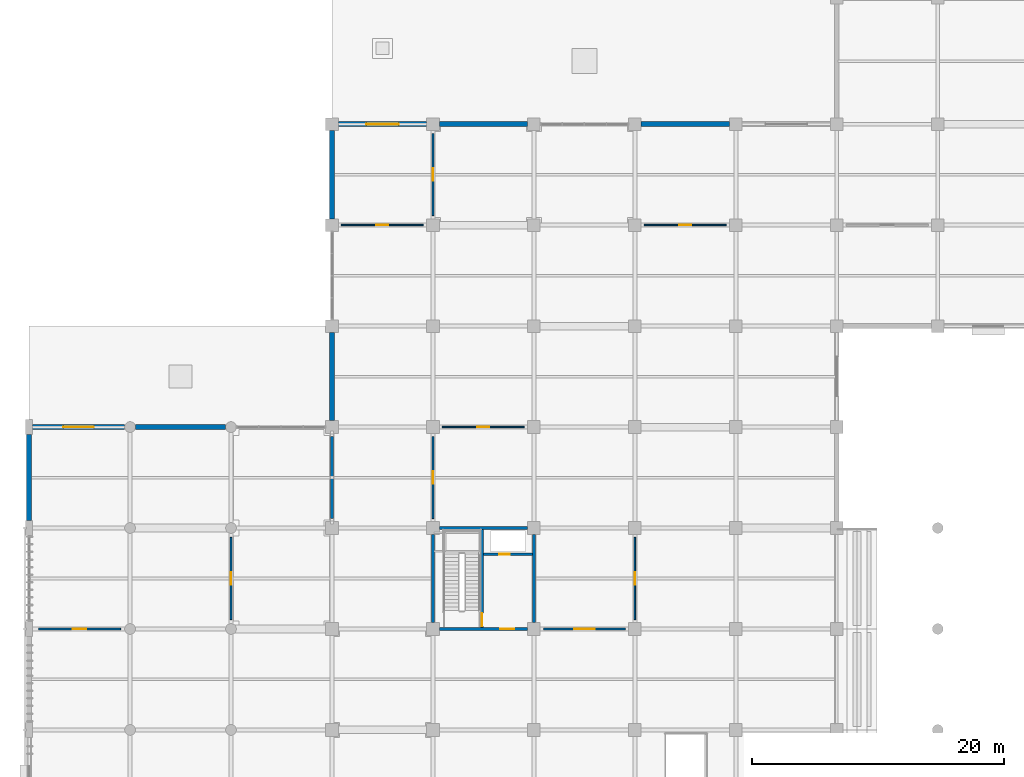
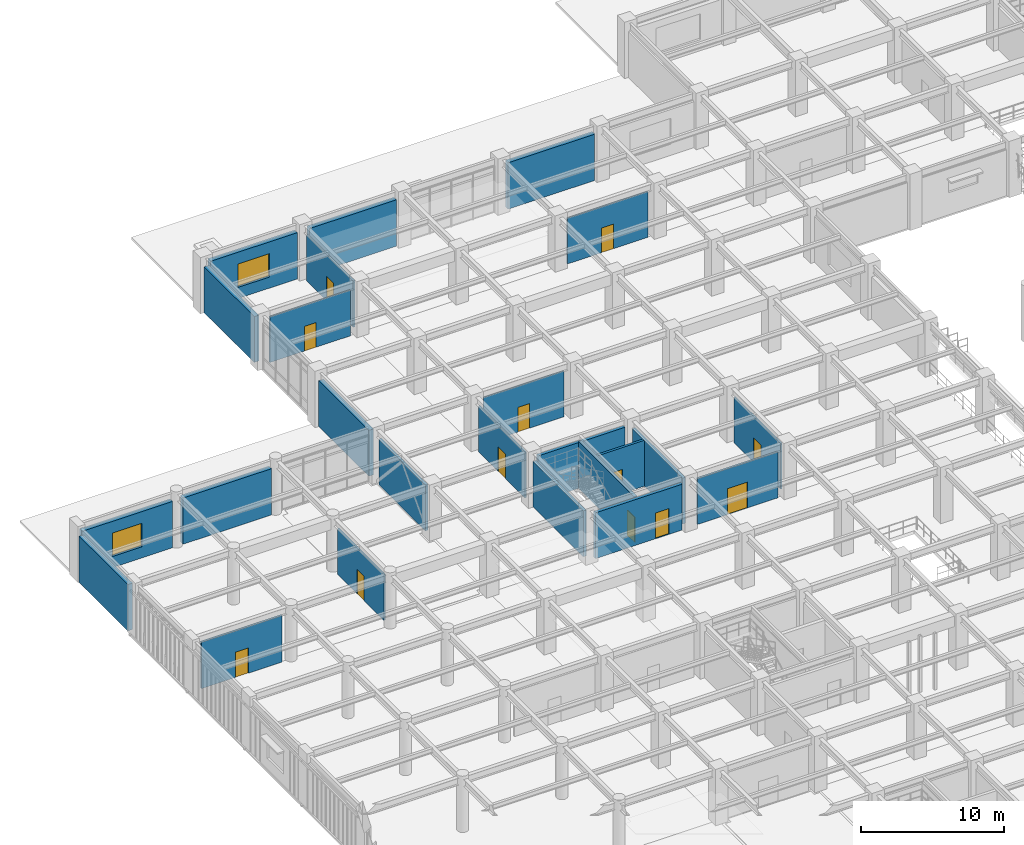
# One storey, part 81 of 117: 24 walls, 12 doors, 2 windows, 14 openings.
"""IFC4 building model written with IfcOpenShell, lengths in metres."""

from ifc_helpers import new_model, si_unit, direction, frame, frame_2d, origin, place, context, subcontext, project, spatial, rectangle, extrude, material, layer, layer_set, type_object, element, fill, save


model = new_model("IFC4")

# Units and contexts
model_context = context("Model", 3, precision=1e-05, world=origin(), true_north=direction((0.0, 1.0)))
body_context = subcontext(model_context, "Body", "Model", "MODEL_VIEW")
ifc_project = project(units=[si_unit("LENGTHUNIT", "METRE"), si_unit("AREAUNIT", "SQUARE_METRE"), si_unit("VOLUMEUNIT", "CUBIC_METRE"), si_unit("PLANEANGLEUNIT", "RADIAN"), si_unit("MASSUNIT", "GRAM", prefix="KILO")], contexts=[model_context])

# Site, building, storey
site_placement = place(None, origin())
site = spatial("IfcSite", under=ifc_project, at=site_placement, CompositionType="ELEMENT")
building_placement = place(site_placement, origin())
building = spatial("IfcBuilding", under=site, at=building_placement, Name="Haebicheon Civic Stadium", CompositionType="ELEMENT")
storey_placement = place(building_placement, frame((0.0, 0.0, 4.800048828125)))
storey = spatial("IfcBuildingStorey", under=building, at=storey_placement, Name="L02", CompositionType="ELEMENT", Elevation=4.800048828125)

# Wall, opening, door
ifc_material_1 = material(Name="Concrete C40/50", Category="concrete")
ifc_layer_1 = layer(ifc_material_1, 0.239990234375, Name="Concrete C40/50")
ifc_layer_set_1 = layer_set([ifc_layer_1], Name="Concrete C40/50")
wall_type_1 = type_object("IfcWallType", Name="CW-SHR-240", PredefinedType="SHEAR", material=ifc_layer_set_1)
wall_1_placement = place(storey_placement, frame((32.5, 128.0, 0.0), z_axis=(0.0, 0.0, 1.0), x_axis=(1.0, 0.0, 0.0)))
wall_1 = element("IfcWall", 1, at=wall_1_placement, inside=storey, type_object=wall_type_1, material=ifc_layer_set_1, Name="KC-05 L02 south core shear wall", PredefinedType="SHEAR", context=body_context, shape_type="SweptSolid", body=[
    extrude(rectangle(XDim=7.0, YDim=0.239990234375, at=frame_2d((3.5, 0.0))), origin(), (0.0, 0.0, 1.0), 3.909912109375),
])
opening_1_placement = place(wall_1_placement, frame((4.85009765625, 0.0, 0.0)))
opening_1 = element("IfcOpeningElement", 2, at=opening_1_placement, cuts=wall_1, Name="Opening D-L02-KC-05-LOB", PredefinedType="OPENING", context=body_context, shape_type="SweptSolid", body=[
    extrude(rectangle(XDim=1.10009765625, YDim=2.199951171875, at=frame_2d((0.550048828125, 1.10009765625))), frame((0.0, 0.1298828125, 0.0), z_axis=(0.0, -1.0, 0.0), x_axis=(1.0, 0.0, 0.0)), (0.0, 0.0, 1.0), 0.260009765625),
])
ifc_material_2 = material(Name="Galvanised painted steel SM355", Category="steel")
door_type_1 = type_object("IfcDoorType", Name="ID-FD-1100", OperationType="NOTDEFINED", PredefinedType="DOOR", material=ifc_material_2)
door_1_placement = place(opening_1_placement, origin())
door_1 = element("IfcDoor", 3, at=door_1_placement, inside=storey, type_object=door_type_1, material=ifc_material_2, Name="L02 KC-05 lobby fire door", OperationType="SINGLE_SWING_RIGHT", OverallHeight=2.199951171875, OverallWidth=1.10009765625, PredefinedType="DOOR", context=body_context, shape_type="SweptSolid", body=[
    extrude(rectangle(XDim=1.10009765625, YDim=2.199951171875, at=frame_2d((0.550048828125, 1.10009765625))), frame((0.0, 0.02490234375, 0.0), z_axis=(0.0, -1.0, 0.0), x_axis=(1.0, 0.0, 0.0)), (0.0, 0.0, 1.0), 0.050048828125),
])
fill(opening_1, door_1)

# Walls
for number, where, z_axis, x_axis, name in (
    (4, (32.5, 136.0, 0.0), (0.0, 0.0, 1.0), (1.0, 0.0, 0.0), "KC-05 L02 north core shear wall"),
    (5, (32.0, 128.5, 0.0), (0.0, 0.0, 1.0), (0.0, 1.0, 0.0), "KC-05 L02 west core shear wall"),
    (6, (40.0, 128.5, 0.0), (0.0, 0.0, 1.0), (0.0, 1.0, 0.0), "KC-05 L02 east core shear wall"),
):
    element("IfcWall", number, at=place(storey_placement, frame(where, z_axis=z_axis, x_axis=x_axis)), inside=storey, type_object=wall_type_1, material=ifc_layer_set_1, Name=name, PredefinedType="SHEAR", context=body_context, shape_type="SweptSolid", body=[
        extrude(rectangle(XDim=7.0, YDim=0.239990234375, at=frame_2d((3.5, 0.0))), origin(), (0.0, 0.0, 1.0), 3.909912109375),
    ])

# Wall, opening, door
wall_2_placement = place(storey_placement, frame((35.8798828125, 128.1201171875, 0.0), z_axis=(0.0, 0.0, 1.0), x_axis=(0.0, 1.0, 0.0)))
wall_2 = element("IfcWall", 7, at=wall_2_placement, inside=storey, type_object=wall_type_1, material=ifc_layer_set_1, Name="KC-05 L02 stair-lobby dividing shear wall", PredefinedType="SHEAR", context=body_context, shape_type="SweptSolid", body=[
    extrude(rectangle(XDim=7.759765625, YDim=0.239990234375, at=frame_2d((3.8798828125, 0.0))), origin(), (0.0, 0.0, 1.0), 4.010009765625),
])
opening_2_placement = place(wall_2_placement, frame((0.080078125, 0.0, 0.0)))
opening_2 = element("IfcOpeningElement", 8, at=opening_2_placement, cuts=wall_2, Name="Opening D-L02-KC-05-STR", PredefinedType="OPENING", context=body_context, shape_type="SweptSolid", body=[
    extrude(rectangle(XDim=1.050048828125, YDim=2.14990234375, at=frame_2d((0.52490234375, 1.074951171875))), frame((0.0, 0.1298828125, 0.0), z_axis=(0.0, -1.0, 0.0), x_axis=(1.0, 0.0, 0.0)), (0.0, 0.0, 1.0), 0.260009765625),
])
ifc_material_3 = material(Name="Galvanised painted steel SM355", Category="steel")
door_type_2 = type_object("IfcDoorType", Name="ID-FD-1050", OperationType="NOTDEFINED", PredefinedType="DOOR", material=ifc_material_3)
door_2_placement = place(opening_2_placement, origin())
door_2 = element("IfcDoor", 9, at=door_2_placement, inside=storey, type_object=door_type_2, material=ifc_material_3, Name="L02 ST-05 stairwell escape door", OperationType="SINGLE_SWING_LEFT", OverallHeight=2.14990234375, OverallWidth=1.050048828125, PredefinedType="DOOR", context=body_context, shape_type="SweptSolid", body=[
    extrude(rectangle(XDim=1.050048828125, YDim=2.14990234375, at=frame_2d((0.52490234375, 1.074951171875))), frame((0.0, 0.02490234375, 0.0), z_axis=(0.0, -1.0, 0.0), x_axis=(1.0, 0.0, 0.0)), (0.0, 0.0, 1.0), 0.050048828125),
])
fill(opening_2, door_2)

# Wall, opening, window
ifc_material_4 = material(Name="Concrete C40/50", Category="concrete")
ifc_layer_2 = layer(ifc_material_4, 0.3798828125, Name="Concrete C40/50")
ifc_layer_set_2 = layer_set([ifc_layer_2], Name="Concrete C40/50")
wall_type_2 = type_object("IfcWallType", Name="EW-BM-380", PredefinedType="SOLIDWALL", material=ifc_layer_set_2)
wall_3_placement = place(storey_placement, frame((0.27490234375, 144.0, 0.0), z_axis=(0.0, 0.0, 1.0), x_axis=(1.0, 0.0, 0.0)))
wall_3 = element("IfcWall", 10, at=wall_3_placement, inside=storey, type_object=wall_type_2, material=ifc_layer_set_2, Name="L02 board-marked concrete facade wall 00-18-N", PredefinedType="SOLIDWALL", context=body_context, shape_type="SweptSolid", body=[
    extrude(rectangle(XDim=7.300048828125, YDim=0.3798828125, at=frame_2d((3.64990234375, 0.0))), origin(), (0.0, 0.0, 1.0), 3.949951171875),
])
opening_3_placement = place(wall_3_placement, frame((2.449951171875, 0.0, 0.949951171875)))
opening_3 = element("IfcOpeningElement", 11, at=opening_3_placement, cuts=wall_3, Name="Opening WIN-240x200", PredefinedType="OPENING", context=body_context, shape_type="SweptSolid", body=[
    extrude(rectangle(XDim=2.39990234375, YDim=2.0, at=frame_2d((1.199951171875, 1.0))), frame((0.0, 0.199951171875, 0.0), z_axis=(0.0, -1.0, 0.0), x_axis=(1.0, 0.0, 0.0)), (0.0, 0.0, 1.0), 0.39990234375),
])
ifc_material_5 = material(Name="Anodised aluminium and laminated glass", Category="aluminium")
window_type_1 = type_object("IfcWindowType", Name="WIN-240x200", PartitioningType="SINGLE_PANEL", PredefinedType="WINDOW", material=ifc_material_5)
window_1_placement = place(opening_3_placement, origin())
window_1 = element("IfcWindow", 12, at=window_1_placement, inside=storey, type_object=window_type_1, material=ifc_material_5, Name="L02 facade window 033", OverallHeight=2.0, OverallWidth=2.39990234375, PartitioningType="SINGLE_PANEL", PredefinedType="WINDOW", context=body_context, shape_type="SweptSolid", body=[
    extrude(rectangle(XDim=2.39990234375, YDim=2.0, at=frame_2d((1.199951171875, 1.0))), frame((0.0, 0.030029296875, 0.0), z_axis=(0.0, -1.0, 0.0), x_axis=(1.0, 0.0, 0.0)), (0.0, 0.0, 1.0), 0.06005859375),
])
fill(opening_3, window_1)

# Walls
wall_4_placement = place(storey_placement, frame((0.0, 136.60009765625, 0.0), z_axis=(0.0, 0.0, 1.0), x_axis=(0.0, 1.0, 0.0)))
element("IfcWall", 13, at=wall_4_placement, inside=storey, type_object=wall_type_2, material=ifc_layer_set_2, Name="L02 board-marked concrete facade wall 00-17-W", PredefinedType="SOLIDWALL", context=body_context, shape_type="SweptSolid", body=[
    extrude(rectangle(XDim=6.7998046875, YDim=0.3798828125, at=frame_2d((3.39990234375, 0.0))), origin(), (0.0, 0.0, 1.0), 3.949951171875),
])
wall_5_placement = place(storey_placement, frame((8.425048828125, 144.0, 0.0), z_axis=(0.0, 0.0, 1.0), x_axis=(1.0, 0.0, 0.0)))
element("IfcWall", 14, at=wall_5_placement, inside=storey, type_object=wall_type_2, material=ifc_layer_set_2, Name="L02 board-marked concrete facade wall 01-18-N", PredefinedType="SOLIDWALL", context=body_context, shape_type="SweptSolid", body=[
    extrude(rectangle(XDim=7.14990234375, YDim=0.3798828125, at=frame_2d((3.574951171875, 0.0))), origin(), (0.0, 0.0, 1.0), 3.949951171875),
])
wall_6_placement = place(storey_placement, frame((24.0, 144.5, 0.0), z_axis=(0.0, 0.0, 1.0), x_axis=(0.0, 1.0, 0.0)))
element("IfcWall", 15, at=wall_6_placement, inside=storey, type_object=wall_type_2, material=ifc_layer_set_2, Name="L02 board-marked concrete facade wall 03-18-W", PredefinedType="SOLIDWALL", context=body_context, shape_type="SweptSolid", body=[
    extrude(rectangle(XDim=7.0, YDim=0.3798828125, at=frame_2d((3.5, 0.0))), origin(), (0.0, 0.0, 1.0), 3.909912109375),
])

# Wall, opening, window
wall_7_placement = place(storey_placement, frame((24.5, 168.0, 0.0), z_axis=(0.0, 0.0, 1.0), x_axis=(1.0, 0.0, 0.0)))
wall_7 = element("IfcWall", 16, at=wall_7_placement, inside=storey, type_object=wall_type_2, material=ifc_layer_set_2, Name="L02 board-marked concrete facade wall 03-21-N", PredefinedType="SOLIDWALL", context=body_context, shape_type="SweptSolid", body=[
    extrude(rectangle(XDim=7.0, YDim=0.3798828125, at=frame_2d((3.5, 0.0))), origin(), (0.0, 0.0, 1.0), 3.949951171875),
])
opening_4_placement = place(wall_7_placement, frame((2.22509765625, 0.0, 0.949951171875)))
opening_4 = element("IfcOpeningElement", 17, at=opening_4_placement, cuts=wall_7, Name="Opening WIN-255x200", PredefinedType="OPENING", context=body_context, shape_type="SweptSolid", body=[
    extrude(rectangle(XDim=2.550048828125, YDim=2.0, at=frame_2d((1.27490234375, 1.0))), frame((0.0, 0.199951171875, 0.0), z_axis=(0.0, -1.0, 0.0), x_axis=(1.0, 0.0, 0.0)), (0.0, 0.0, 1.0), 0.39990234375),
])
ifc_material_6 = material(Name="Anodised aluminium and laminated glass", Category="aluminium")
window_type_2 = type_object("IfcWindowType", Name="WIN-255x200", PartitioningType="SINGLE_PANEL", PredefinedType="WINDOW", material=ifc_material_6)
window_2_placement = place(opening_4_placement, origin())
window_2 = element("IfcWindow", 18, at=window_2_placement, inside=storey, type_object=window_type_2, material=ifc_material_6, Name="L02 facade window 034", OverallHeight=2.0, OverallWidth=2.550048828125, PartitioningType="SINGLE_PANEL", PredefinedType="WINDOW", context=body_context, shape_type="SweptSolid", body=[
    extrude(rectangle(XDim=2.550048828125, YDim=2.0, at=frame_2d((1.27490234375, 1.0))), frame((0.0, 0.030029296875, 0.0), z_axis=(0.0, -1.0, 0.0), x_axis=(1.0, 0.0, 0.0)), (0.0, 0.0, 1.0), 0.06005859375),
])
fill(opening_4, window_2)

# Walls
wall_8_placement = place(storey_placement, frame((24.0, 160.5, 0.0), z_axis=(0.0, 0.0, 1.0), x_axis=(0.0, 1.0, 0.0)))
element("IfcWall", 19, at=wall_8_placement, inside=storey, type_object=wall_type_2, material=ifc_layer_set_2, Name="L02 board-marked concrete facade wall 03-20-W", PredefinedType="SOLIDWALL", context=body_context, shape_type="SweptSolid", body=[
    extrude(rectangle(XDim=7.0, YDim=0.3798828125, at=frame_2d((3.5, 0.0))), origin(), (0.0, 0.0, 1.0), 3.909912109375),
])
for number, where, z_axis, x_axis, name in (
    (20, (32.5, 168.0, 0.0), (0.0, 0.0, 1.0), (1.0, 0.0, 0.0), "L02 board-marked concrete facade wall 04-21-N"),
    (21, (48.5, 168.0, 0.0), (0.0, 0.0, 1.0), (1.0, 0.0, 0.0), "L02 board-marked concrete facade wall 06-21-N"),
):
    element("IfcWall", number, at=place(storey_placement, frame(where, z_axis=z_axis, x_axis=x_axis)), inside=storey, type_object=wall_type_2, material=ifc_layer_set_2, Name=name, PredefinedType="SOLIDWALL", context=body_context, shape_type="SweptSolid", body=[
        extrude(rectangle(XDim=7.0, YDim=0.3798828125, at=frame_2d((3.5, 0.0))), origin(), (0.0, 0.0, 1.0), 3.949951171875),
    ])

# Wall, opening, door
ifc_material_7 = material(Name="Concrete C35/45", Category="concrete")
ifc_layer_3 = layer(ifc_material_7, 0.199951171875, Name="Concrete C35/45")
ifc_layer_set_3 = layer_set([ifc_layer_3], Name="Concrete C35/45")
wall_type_3 = type_object("IfcWallType", Name="IW-FIR-200", PredefinedType="PARTITIONING", material=ifc_layer_set_3)
wall_9_placement = place(storey_placement, frame((36.0, 133.919921875, 0.0), z_axis=(0.0, 0.0, 1.0), x_axis=(1.0, 0.0, 0.0)))
wall_9 = element("IfcWall", 22, at=wall_9_placement, inside=storey, type_object=wall_type_3, material=ifc_layer_set_3, Name="KC-05 L02 service riser wall", PredefinedType="PARTITIONING", context=body_context, shape_type="SweptSolid", body=[
    extrude(rectangle(XDim=3.8798828125, YDim=0.199951171875, at=frame_2d((1.93994140625, 0.0))), origin(), (0.0, 0.0, 1.0), 3.909912109375),
])
opening_5_placement = place(wall_9_placement, frame((1.25, 0.0, 0.0)))
opening_5 = element("IfcOpeningElement", 23, at=opening_5_placement, cuts=wall_9, Name="Opening D-L02-KC-05-RSR", PredefinedType="OPENING", context=body_context, shape_type="SweptSolid", body=[
    extrude(rectangle(XDim=0.85009765625, YDim=2.050048828125, at=frame_2d((0.425048828125, 1.02490234375))), frame((0.0, 0.10986328125, 0.0), z_axis=(0.0, -1.0, 0.0), x_axis=(1.0, 0.0, 0.0)), (0.0, 0.0, 1.0), 0.219970703125),
])
ifc_material_8 = material(Name="Galvanised painted steel SM355", Category="steel")
door_type_3 = type_object("IfcDoorType", Name="ID-RSR-0850", OperationType="NOTDEFINED", PredefinedType="TRAPDOOR", material=ifc_material_8)
door_3_placement = place(opening_5_placement, origin())
door_3 = element("IfcDoor", 24, at=door_3_placement, inside=storey, type_object=door_type_3, material=ifc_material_8, Name="L02 KC-05 riser access door", OperationType="SINGLE_SWING_RIGHT", OverallHeight=2.050048828125, OverallWidth=0.85009765625, PredefinedType="TRAPDOOR", context=body_context, shape_type="SweptSolid", body=[
    extrude(rectangle(XDim=0.85009765625, YDim=2.050048828125, at=frame_2d((0.425048828125, 1.02490234375))), frame((0.0, 0.02490234375, 0.0), z_axis=(0.0, -1.0, 0.0), x_axis=(1.0, 0.0, 0.0)), (0.0, 0.0, 1.0), 0.050048828125),
])
fill(opening_5, door_3)

# Wall
wall_10_placement = place(storey_placement, frame((24.0, 136.75, 0.0), z_axis=(0.0, 0.0, 1.0), x_axis=(0.0, 1.0, 0.0)))
element("IfcWall", 25, at=wall_10_placement, inside=storey, type_object=wall_type_3, material=ifc_layer_set_3, Name="L02 braced-frame solid fire wall 03-17", PredefinedType="PARTITIONING", context=body_context, shape_type="SweptSolid", body=[
    extrude(rectangle(XDim=6.5, YDim=0.199951171875, at=frame_2d((3.25, 0.0))), origin(), (0.0, 0.0, 1.0), 3.909912109375),
])

# Wall, opening, door
ifc_material_9 = material(Name="Anodised aluminium and laminated glass", Category="aluminium")
ifc_layer_4 = layer(ifc_material_9, 0.10009765625, Name="Anodised aluminium and laminated glass")
ifc_layer_set_4 = layer_set([ifc_layer_4], Name="Anodised aluminium and laminated glass")
wall_type_4 = type_object("IfcWallType", Name="IW-PRT-100", PredefinedType="PARTITIONING", material=ifc_layer_set_4)
wall_11_placement = place(storey_placement, frame((24.75, 160.0, 0.0), z_axis=(0.0, 0.0, 1.0), x_axis=(1.0, 0.0, 0.0)))
wall_11 = element("IfcWall", 26, at=wall_11_placement, inside=storey, type_object=wall_type_4, material=ifc_layer_set_4, Name="L02 Family Viewing Lounge partition wall", PredefinedType="PARTITIONING", context=body_context, shape_type="SweptSolid", body=[
    extrude(rectangle(XDim=6.5, YDim=0.10009765625, at=frame_2d((3.25, 0.0))), origin(), (0.0, 0.0, 1.0), 3.909912109375),
])
opening_6_placement = place(wall_11_placement, frame((2.77490234375, 0.0, 0.0)))
opening_6 = element("IfcOpeningElement", 27, at=opening_6_placement, cuts=wall_11, Name="Opening D-L02-193", PredefinedType="OPENING", context=body_context, shape_type="SweptSolid", body=[
    extrude(rectangle(XDim=0.949951171875, YDim=2.10009765625, at=frame_2d((0.47509765625, 1.050048828125))), frame((0.0, 0.06005859375, 0.0), z_axis=(0.0, -1.0, 0.0), x_axis=(1.0, 0.0, 0.0)), (0.0, 0.0, 1.0), 0.1201171875),
])
ifc_material_10 = material(Name="Engineered hardwood timber", Category="wood")
door_type_4 = type_object("IfcDoorType", Name="ID-RM-0950", OperationType="NOTDEFINED", PredefinedType="DOOR", material=ifc_material_10)
door_4_placement = place(opening_6_placement, origin())
door_4 = element("IfcDoor", 28, at=door_4_placement, inside=storey, type_object=door_type_4, material=ifc_material_10, Name="L02 Family Viewing Lounge entrance door D-L02-193", OperationType="SINGLE_SWING_LEFT", OverallHeight=2.10009765625, OverallWidth=0.949951171875, PredefinedType="DOOR", context=body_context, shape_type="SweptSolid", body=[
    extrude(rectangle(XDim=0.949951171875, YDim=2.10009765625, at=frame_2d((0.47509765625, 1.050048828125))), frame((0.0, 0.02490234375, 0.0), z_axis=(0.0, -1.0, 0.0), x_axis=(1.0, 0.0, 0.0)), (0.0, 0.0, 1.0), 0.050048828125),
])
fill(opening_6, door_4)

wall_12_placement = place(storey_placement, frame((32.75, 144.0, 0.0), z_axis=(0.0, 0.0, 1.0), x_axis=(1.0, 0.0, 0.0)))
wall_12 = element("IfcWall", 29, at=wall_12_placement, inside=storey, type_object=wall_type_4, material=ifc_layer_set_4, Name="L02 Food and Beverage Kiosk partition wall", PredefinedType="PARTITIONING", context=body_context, shape_type="SweptSolid", body=[
    extrude(rectangle(XDim=6.5, YDim=0.10009765625, at=frame_2d((3.25, 0.0))), origin(), (0.0, 0.0, 1.0), 3.909912109375),
])
opening_7_placement = place(wall_12_placement, frame((2.77490234375, 0.0, 0.0)))
opening_7 = element("IfcOpeningElement", 30, at=opening_7_placement, cuts=wall_12, Name="Opening D-L02-199", PredefinedType="OPENING", context=body_context, shape_type="SweptSolid", body=[
    extrude(rectangle(XDim=0.949951171875, YDim=2.10009765625, at=frame_2d((0.47509765625, 1.050048828125))), frame((0.0, 0.06005859375, 0.0), z_axis=(0.0, -1.0, 0.0), x_axis=(1.0, 0.0, 0.0)), (0.0, 0.0, 1.0), 0.1201171875),
])
door_5_placement = place(opening_7_placement, origin())
door_5 = element("IfcDoor", 31, at=door_5_placement, inside=storey, type_object=door_type_4, material=ifc_material_10, Name="L02 Food and Beverage Kiosk entrance door D-L02-199", OperationType="SINGLE_SWING_RIGHT", OverallHeight=2.10009765625, OverallWidth=0.949951171875, PredefinedType="DOOR", context=body_context, shape_type="SweptSolid", body=[
    extrude(rectangle(XDim=0.949951171875, YDim=2.10009765625, at=frame_2d((0.47509765625, 1.050048828125))), frame((0.0, 0.02490234375, 0.0), z_axis=(0.0, -1.0, 0.0), x_axis=(1.0, 0.0, 0.0)), (0.0, 0.0, 1.0), 0.050048828125),
])
fill(opening_7, door_5)

wall_13_placement = place(storey_placement, frame((48.75, 160.0, 0.0), z_axis=(0.0, 0.0, 1.0), x_axis=(1.0, 0.0, 0.0)))
wall_13 = element("IfcWall", 32, at=wall_13_placement, inside=storey, type_object=wall_type_4, material=ifc_layer_set_4, Name="L02 Family Viewing Lounge partition wall", PredefinedType="PARTITIONING", context=body_context, shape_type="SweptSolid", body=[
    extrude(rectangle(XDim=6.5, YDim=0.10009765625, at=frame_2d((3.25, 0.0))), origin(), (0.0, 0.0, 1.0), 3.909912109375),
])
opening_8_placement = place(wall_13_placement, frame((2.77490234375, 0.0, 0.0)))
opening_8 = element("IfcOpeningElement", 33, at=opening_8_placement, cuts=wall_13, Name="Opening D-L02-207", PredefinedType="OPENING", context=body_context, shape_type="SweptSolid", body=[
    extrude(rectangle(XDim=0.949951171875, YDim=2.10009765625, at=frame_2d((0.47509765625, 1.050048828125))), frame((0.0, 0.06005859375, 0.0), z_axis=(0.0, -1.0, 0.0), x_axis=(1.0, 0.0, 0.0)), (0.0, 0.0, 1.0), 0.1201171875),
])
door_6_placement = place(opening_8_placement, origin())
door_6 = element("IfcDoor", 34, at=door_6_placement, inside=storey, type_object=door_type_4, material=ifc_material_10, Name="L02 Family Viewing Lounge entrance door D-L02-207", OperationType="SINGLE_SWING_LEFT", OverallHeight=2.10009765625, OverallWidth=0.949951171875, PredefinedType="DOOR", context=body_context, shape_type="SweptSolid", body=[
    extrude(rectangle(XDim=0.949951171875, YDim=2.10009765625, at=frame_2d((0.47509765625, 1.050048828125))), frame((0.0, 0.02490234375, 0.0), z_axis=(0.0, -1.0, 0.0), x_axis=(1.0, 0.0, 0.0)), (0.0, 0.0, 1.0), 0.050048828125),
])
fill(opening_8, door_6)

ifc_material_11 = material(Name="Gypsum plasterboard on steel studs", Category="gypsum")
ifc_layer_5 = layer(ifc_material_11, 0.1201171875, Name="Gypsum plasterboard on steel studs")
ifc_layer_set_5 = layer_set([ifc_layer_5], Name="Gypsum plasterboard on steel studs")
wall_type_5 = type_object("IfcWallType", Name="IW-PRT-120", PredefinedType="PARTITIONING", material=ifc_layer_set_5)
wall_14_placement = place(storey_placement, frame((48.0, 128.75, 0.0), z_axis=(0.0, 0.0, 1.0), x_axis=(0.0, 1.0, 0.0)))
wall_14 = element("IfcWall", 35, at=wall_14_placement, inside=storey, type_object=wall_type_5, material=ifc_layer_set_5, Name="L02 First Aid Station partition wall", PredefinedType="PARTITIONING", context=body_context, shape_type="SweptSolid", body=[
    extrude(rectangle(XDim=6.5, YDim=0.1201171875, at=frame_2d((3.25, 0.0))), origin(), (0.0, 0.0, 1.0), 3.909912109375),
])
opening_9_placement = place(wall_14_placement, frame((2.75, 0.0, 0.0)))
opening_9 = element("IfcOpeningElement", 36, at=opening_9_placement, cuts=wall_14, Name="Opening D-L02-206", PredefinedType="OPENING", context=body_context, shape_type="SweptSolid", body=[
    extrude(rectangle(XDim=1.0, YDim=2.10009765625, at=frame_2d((0.5, 1.050048828125))), frame((0.0, 0.070068359375, 0.0), z_axis=(0.0, -1.0, 0.0), x_axis=(1.0, 0.0, 0.0)), (0.0, 0.0, 1.0), 0.14013671875),
])
ifc_material_12 = material(Name="Engineered hardwood timber", Category="wood")
door_type_5 = type_object("IfcDoorType", Name="ID-RM-1000", OperationType="NOTDEFINED", PredefinedType="DOOR", material=ifc_material_12)
door_7_placement = place(opening_9_placement, origin())
door_7 = element("IfcDoor", 37, at=door_7_placement, inside=storey, type_object=door_type_5, material=ifc_material_12, Name="L02 First Aid Station entrance door D-L02-206", OperationType="SINGLE_SWING_RIGHT", OverallHeight=2.10009765625, OverallWidth=1.0, PredefinedType="DOOR", context=body_context, shape_type="SweptSolid", body=[
    extrude(rectangle(XDim=1.0, YDim=2.10009765625, at=frame_2d((0.5, 1.050048828125))), frame((0.0, 0.02490234375, 0.0), z_axis=(0.0, -1.0, 0.0), x_axis=(1.0, 0.0, 0.0)), (0.0, 0.0, 1.0), 0.050048828125),
])
fill(opening_9, door_7)

ifc_material_13 = material(Name="Gypsum plasterboard on steel studs", Category="gypsum")
ifc_layer_6 = layer(ifc_material_13, 0.1298828125, Name="Gypsum plasterboard on steel studs")
ifc_layer_set_6 = layer_set([ifc_layer_6], Name="Gypsum plasterboard on steel studs")
wall_type_6 = type_object("IfcWallType", Name="IW-PRT-130", PredefinedType="PARTITIONING", material=ifc_layer_set_6)
wall_15_placement = place(storey_placement, frame((32.0, 136.75, 0.0), z_axis=(0.0, 0.0, 1.0), x_axis=(0.0, 1.0, 0.0)))
wall_15 = element("IfcWall", 38, at=wall_15_placement, inside=storey, type_object=wall_type_6, material=ifc_layer_set_6, Name="L02 First Aid Station partition wall", PredefinedType="PARTITIONING", context=body_context, shape_type="SweptSolid", body=[
    extrude(rectangle(XDim=6.5, YDim=0.1298828125, at=frame_2d((3.25, 0.0))), origin(), (0.0, 0.0, 1.0), 3.909912109375),
])
opening_10_placement = place(wall_15_placement, frame((2.75, 0.0, 0.0)))
opening_10 = element("IfcOpeningElement", 39, at=opening_10_placement, cuts=wall_15, Name="Opening D-L02-192", PredefinedType="OPENING", context=body_context, shape_type="SweptSolid", body=[
    extrude(rectangle(XDim=1.0, YDim=2.10009765625, at=frame_2d((0.5, 1.050048828125))), frame((0.0, 0.074951171875, 0.0), z_axis=(0.0, -1.0, 0.0), x_axis=(1.0, 0.0, 0.0)), (0.0, 0.0, 1.0), 0.14990234375),
])
door_8_placement = place(opening_10_placement, origin())
door_8 = element("IfcDoor", 40, at=door_8_placement, inside=storey, type_object=door_type_5, material=ifc_material_12, Name="L02 First Aid Station entrance door D-L02-192", OperationType="SINGLE_SWING_RIGHT", OverallHeight=2.10009765625, OverallWidth=1.0, PredefinedType="DOOR", context=body_context, shape_type="SweptSolid", body=[
    extrude(rectangle(XDim=1.0, YDim=2.10009765625, at=frame_2d((0.5, 1.050048828125))), frame((0.0, 0.02490234375, 0.0), z_axis=(0.0, -1.0, 0.0), x_axis=(1.0, 0.0, 0.0)), (0.0, 0.0, 1.0), 0.050048828125),
])
fill(opening_10, door_8)

wall_16_placement = place(storey_placement, frame((32.0, 160.75, 0.0), z_axis=(0.0, 0.0, 1.0), x_axis=(0.0, 1.0, 0.0)))
wall_16 = element("IfcWall", 41, at=wall_16_placement, inside=storey, type_object=wall_type_6, material=ifc_layer_set_6, Name="L02 First Aid Station partition wall", PredefinedType="PARTITIONING", context=body_context, shape_type="SweptSolid", body=[
    extrude(rectangle(XDim=6.5, YDim=0.1298828125, at=frame_2d((3.25, 0.0))), origin(), (0.0, 0.0, 1.0), 3.969970703125),
])
opening_11_placement = place(wall_16_placement, frame((2.75, 0.0, 0.0)))
opening_11 = element("IfcOpeningElement", 42, at=opening_11_placement, cuts=wall_16, Name="Opening D-L02-200", PredefinedType="OPENING", context=body_context, shape_type="SweptSolid", body=[
    extrude(rectangle(XDim=1.0, YDim=2.10009765625, at=frame_2d((0.5, 1.050048828125))), frame((0.0, 0.074951171875, 0.0), z_axis=(0.0, -1.0, 0.0), x_axis=(1.0, 0.0, 0.0)), (0.0, 0.0, 1.0), 0.14990234375),
])
door_9_placement = place(opening_11_placement, origin())
door_9 = element("IfcDoor", 43, at=door_9_placement, inside=storey, type_object=door_type_5, material=ifc_material_12, Name="L02 First Aid Station entrance door D-L02-200", OperationType="SINGLE_SWING_LEFT", OverallHeight=2.10009765625, OverallWidth=1.0, PredefinedType="DOOR", context=body_context, shape_type="SweptSolid", body=[
    extrude(rectangle(XDim=1.0, YDim=2.10009765625, at=frame_2d((0.5, 1.050048828125))), frame((0.0, 0.02490234375, 0.0), z_axis=(0.0, -1.0, 0.0), x_axis=(1.0, 0.0, 0.0)), (0.0, 0.0, 1.0), 0.050048828125),
])
fill(opening_11, door_9)

wall_17_placement = place(storey_placement, frame((16.0, 128.75, 0.0), z_axis=(0.0, 0.0, 1.0), x_axis=(0.0, 1.0, 0.0)))
wall_17 = element("IfcWall", 44, at=wall_17_placement, inside=storey, type_object=wall_type_6, material=ifc_layer_set_6, Name="L02 Club Museum Archive Gallery partition wall", PredefinedType="PARTITIONING", context=body_context, shape_type="SweptSolid", body=[
    extrude(rectangle(XDim=6.5, YDim=0.1298828125, at=frame_2d((3.25, 0.0))), origin(), (0.0, 0.0, 1.0), 3.909912109375),
])
opening_12_placement = place(wall_17_placement, frame((2.75, 0.0, 0.0)))
opening_12 = element("IfcOpeningElement", 45, at=opening_12_placement, cuts=wall_17, Name="Opening D-L02-256", PredefinedType="OPENING", context=body_context, shape_type="SweptSolid", body=[
    extrude(rectangle(XDim=1.0, YDim=2.10009765625, at=frame_2d((0.5, 1.050048828125))), frame((0.0, 0.074951171875, 0.0), z_axis=(0.0, -1.0, 0.0), x_axis=(1.0, 0.0, 0.0)), (0.0, 0.0, 1.0), 0.14990234375),
])
door_10_placement = place(opening_12_placement, origin())
door_10 = element("IfcDoor", 46, at=door_10_placement, inside=storey, type_object=door_type_5, material=ifc_material_12, Name="L02 Club Museum Archive Gallery entrance door D-L02-256", OperationType="SINGLE_SWING_LEFT", OverallHeight=2.10009765625, OverallWidth=1.0, PredefinedType="DOOR", context=body_context, shape_type="SweptSolid", body=[
    extrude(rectangle(XDim=1.0, YDim=2.10009765625, at=frame_2d((0.5, 1.050048828125))), frame((0.0, 0.02490234375, 0.0), z_axis=(0.0, -1.0, 0.0), x_axis=(1.0, 0.0, 0.0)), (0.0, 0.0, 1.0), 0.050048828125),
])
fill(opening_12, door_10)

ifc_material_14 = material(Name="Gypsum plasterboard on steel studs", Category="gypsum")
ifc_layer_7 = layer(ifc_material_14, 0.14990234375, Name="Gypsum plasterboard on steel studs")
ifc_layer_set_7 = layer_set([ifc_layer_7], Name="Gypsum plasterboard on steel studs")
wall_type_7 = type_object("IfcWallType", Name="IW-PRT-150", PredefinedType="PARTITIONING", material=ifc_layer_set_7)
wall_18_placement = place(storey_placement, frame((40.75, 128.0, 0.0), z_axis=(0.0, 0.0, 1.0), x_axis=(1.0, 0.0, 0.0)))
wall_18 = element("IfcWall", 47, at=wall_18_placement, inside=storey, type_object=wall_type_7, material=ifc_layer_set_7, Name="L02 Family Viewing Lounge partition wall", PredefinedType="PARTITIONING", context=body_context, shape_type="SweptSolid", body=[
    extrude(rectangle(XDim=6.5, YDim=0.14990234375, at=frame_2d((3.25, 0.0))), origin(), (0.0, 0.0, 1.0), 3.909912109375),
])
opening_13_placement = place(wall_18_placement, frame((2.449951171875, 0.0, 0.0)))
opening_13 = element("IfcOpeningElement", 48, at=opening_13_placement, cuts=wall_18, Name="Opening D-L02-198", PredefinedType="OPENING", context=body_context, shape_type="SweptSolid", body=[
    extrude(rectangle(XDim=1.60009765625, YDim=2.199951171875, at=frame_2d((0.800048828125, 1.10009765625))), frame((0.0, 0.0849609375, 0.0), z_axis=(0.0, -1.0, 0.0), x_axis=(1.0, 0.0, 0.0)), (0.0, 0.0, 1.0), 0.169921875),
])
ifc_material_15 = material(Name="Anodised aluminium and laminated glass", Category="aluminium")
door_type_6 = type_object("IfcDoorType", Name="ID-DBL-1600", OperationType="NOTDEFINED", PredefinedType="DOOR", material=ifc_material_15)
door_11_placement = place(opening_13_placement, origin())
door_11 = element("IfcDoor", 49, at=door_11_placement, inside=storey, type_object=door_type_6, material=ifc_material_15, Name="L02 Family Viewing Lounge entrance door D-L02-198", OperationType="DOUBLE_SWING_LEFT", OverallHeight=2.199951171875, OverallWidth=1.60009765625, PredefinedType="DOOR", context=body_context, shape_type="SweptSolid", body=[
    extrude(rectangle(XDim=1.60009765625, YDim=2.199951171875, at=frame_2d((0.800048828125, 1.10009765625))), frame((0.0, 0.02490234375, 0.0), z_axis=(0.0, -1.0, 0.0), x_axis=(1.0, 0.0, 0.0)), (0.0, 0.0, 1.0), 0.050048828125),
])
fill(opening_13, door_11)

wall_19_placement = place(storey_placement, frame((0.75, 128.0, 0.0), z_axis=(0.0, 0.0, 1.0), x_axis=(1.0, 0.0, 0.0)))
wall_19 = element("IfcWall", 50, at=wall_19_placement, inside=storey, type_object=wall_type_7, material=ifc_layer_set_7, Name="L02 Ticketing Administration Suite partition wall", PredefinedType="PARTITIONING", context=body_context, shape_type="SweptSolid", body=[
    extrude(rectangle(XDim=6.5, YDim=0.14990234375, at=frame_2d((3.25, 0.0))), origin(), (0.0, 0.0, 1.0), 3.969970703125),
])
opening_14_placement = place(wall_19_placement, frame((2.72509765625, 0.0, 0.0)))
opening_14 = element("IfcOpeningElement", 51, at=opening_14_placement, cuts=wall_19, Name="Opening D-L02-251", PredefinedType="OPENING", context=body_context, shape_type="SweptSolid", body=[
    extrude(rectangle(XDim=1.050048828125, YDim=2.14990234375, at=frame_2d((0.52490234375, 1.074951171875))), frame((0.0, 0.0849609375, 0.0), z_axis=(0.0, -1.0, 0.0), x_axis=(1.0, 0.0, 0.0)), (0.0, 0.0, 1.0), 0.169921875),
])
ifc_material_16 = material(Name="Engineered hardwood timber", Category="wood")
door_type_7 = type_object("IfcDoorType", Name="ID-RM-1050", OperationType="NOTDEFINED", PredefinedType="DOOR", material=ifc_material_16)
door_12_placement = place(opening_14_placement, origin())
door_12 = element("IfcDoor", 52, at=door_12_placement, inside=storey, type_object=door_type_7, material=ifc_material_16, Name="L02 Ticketing Administration Suite entrance door D-L02-251", OperationType="SINGLE_SWING_RIGHT", OverallHeight=2.14990234375, OverallWidth=1.050048828125, PredefinedType="DOOR", context=body_context, shape_type="SweptSolid", body=[
    extrude(rectangle(XDim=1.050048828125, YDim=2.14990234375, at=frame_2d((0.52490234375, 1.074951171875))), frame((0.0, 0.02490234375, 0.0), z_axis=(0.0, -1.0, 0.0), x_axis=(1.0, 0.0, 0.0)), (0.0, 0.0, 1.0), 0.050048828125),
])
fill(opening_14, door_12)

save(model, "model.ifc")
